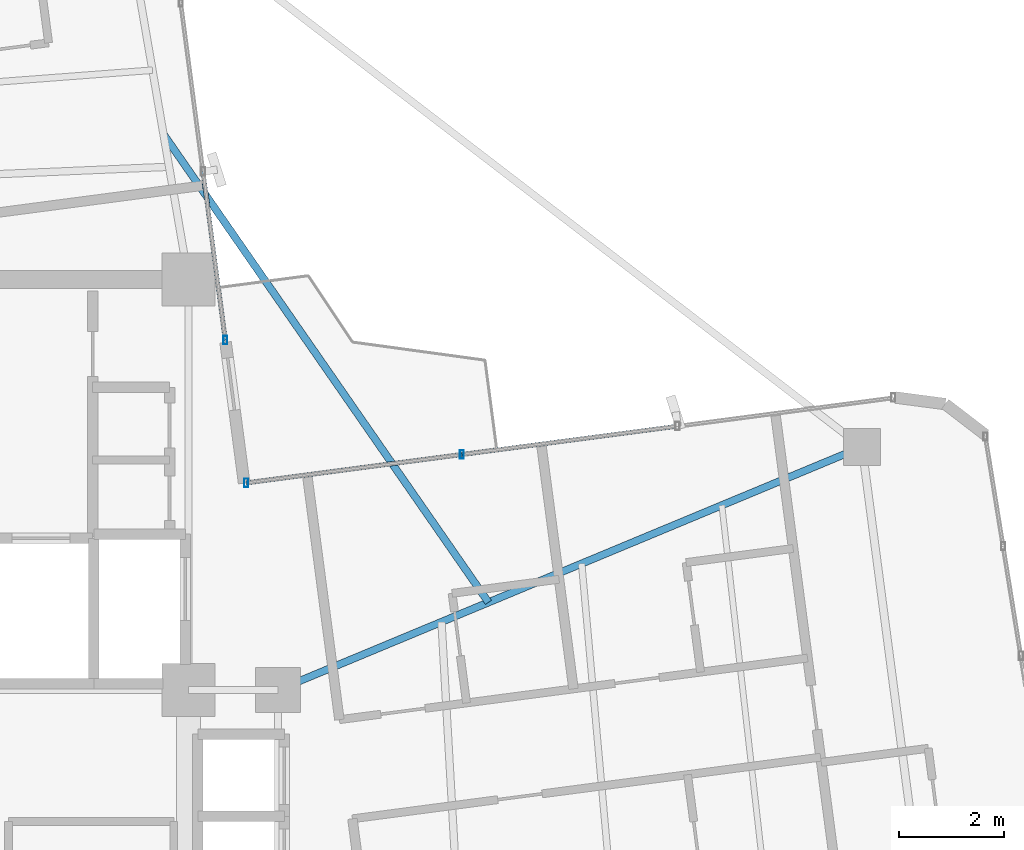
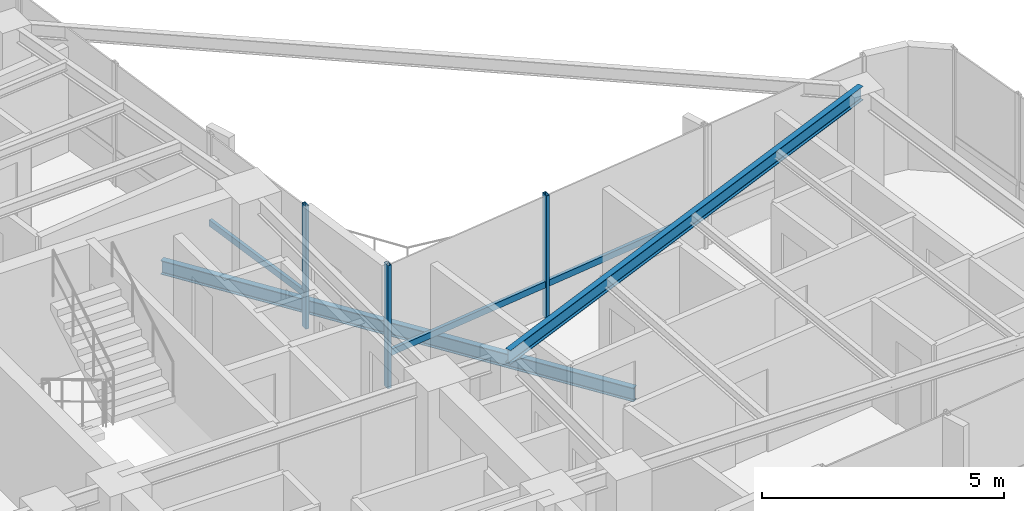
# One storey, part 10 of 22: 6 members, 2 beams, 2 elements without a shape of their own.
"""IFC4 building model written with IfcOpenShell, lengths in metres."""

from ifc_helpers import new_model, si_unit, direction, frame, origin, origin_2d, place, context, subcontext, project, spatial, hollow_rectangle, i_section, extrude, source, transform, mapped, material, material_profile, profile_set, type_object, element, aggregate, save


model = new_model("IFC4")

# Units and contexts
model_context = context("Model", 3, precision=1e-05, world=origin(), true_north=direction((0.0, 1.0)))
body_context = subcontext(model_context, "Body", "Model", "MODEL_VIEW")
ifc_project = project(units=[si_unit("LENGTHUNIT", "METRE"), si_unit("AREAUNIT", "SQUARE_METRE"), si_unit("VOLUMEUNIT", "CUBIC_METRE"), si_unit("PLANEANGLEUNIT", "RADIAN"), si_unit("MASSUNIT", "GRAM", prefix="KILO")], contexts=[model_context])

# Site, building, storey
site_placement = place(None, origin())
site = spatial("IfcSite", under=ifc_project, at=site_placement, CompositionType="ELEMENT")
building_placement = place(site_placement, origin())
building = spatial("IfcBuilding", under=site, at=building_placement, Name="Sahyath Konkavel Grand Hotel", CompositionType="ELEMENT")
storey_placement = place(building_placement, frame((0.0, 0.0, 223.25)))
storey = spatial("IfcBuildingStorey", under=building, at=storey_placement, Name="L62", CompositionType="ELEMENT", Elevation=223.25)

# Beam
ifc_material_1 = material(Name="Steel E350", Category="steel")
ifc_material_profile_1 = material_profile(ifc_material_1, i_section(OverallWidth=0.139892578125, OverallDepth=0.35009765625, WebThickness=0.008056640625, FlangeThickness=0.01416015625, FilletRadius=0.013916015625, at=origin_2d()), Name="ISMB 350")
ifc_profile_set_1 = profile_set([ifc_material_profile_1], Name="Steel E350")
beam_type_1 = type_object("IfcBeamType", Name="BM-ISMB350", PredefinedType="BEAM", material=ifc_profile_set_1)
shared_shape_1 = source(origin(), body_context, "Body", "SweptSolid", [
    extrude(i_section(OverallWidth=0.139892578125, OverallDepth=0.35009765625, WebThickness=0.008056640625, FlangeThickness=0.01416015625, FilletRadius=0.013916015625, at=origin_2d()), origin(), (0.0, 0.0, 1.0), 12.021484375),
])
beam_1_placement = place(storey_placement, frame((5.5, 2.39990234375, 2.93505859375), z_axis=(0.923250473767, 0.384198597979, 0.0), x_axis=(-0.384198597979, 0.923250473767, 0.0)))
element("IfcBeam", 1, at=beam_1_placement, inside=storey, type_object=beam_type_1, Name="L62 Cruciform Radial Girder EB", PredefinedType="BEAM", context=body_context, shape_type="MappedRepresentation", body=[
    mapped(shared_shape_1, transform((0.0, 0.0, 0.0), scale=1.0)),
])

# Curtain wall, members
ifc_material_2 = material(Name="Anodised Bronze Aluminium & Low-E Glazing", Category="aluminium")
curtain_wall_type = type_object("IfcCurtainWallType", Name="CW-ZONE4", PredefinedType="NOTDEFINED", material=ifc_material_2)
curtain_wall_1_placement = place(storey_placement, origin())
curtain_wall_1 = element("IfcCurtainWall", 2, at=curtain_wall_1_placement, inside=storey, type_object=curtain_wall_type, Name="L62 Unitised Curtain Wall F7", PredefinedType="NOTDEFINED")
ifc_material_3 = material(Name="Anodised Bronze Aluminium", Category="aluminium")
ifc_material_profile_2 = material_profile(ifc_material_3, hollow_rectangle(XDim=0.080078125, YDim=0.159912109375, WallThickness=0.006103515625, at=origin_2d()), Name="RHS 160x80x6")
ifc_profile_set_2 = profile_set([ifc_material_profile_2], Name="Anodised Bronze Aluminium")
member_type_1 = type_object("IfcMemberType", Name="CW-MUL-160", PredefinedType="MULLION", material=ifc_profile_set_2)
shared_shape_2 = source(origin(), body_context, "Body", "SweptSolid", [
    extrude(hollow_rectangle(XDim=0.080078125, YDim=0.159912109375, WallThickness=0.006103515625, at=origin_2d()), origin(), (0.0, 0.0, 1.0), 3.110107421875),
])
member_1_placement = place(storey_placement, frame((8.995361328125, 6.875, 0.0), z_axis=(0.0, 0.0, 1.0), x_axis=(1.0, 0.0, 0.0)))
member_1 = element("IfcMember", 3, at=member_1_placement, type_object=member_type_1, Name="L62 Curtain Wall Mullion F7-2", PredefinedType="MULLION", context=body_context, shape_type="MappedRepresentation", body=[
    mapped(shared_shape_2, transform((0.0, 0.0, 0.0), scale=1.0)),
])
member_2_placement = place(storey_placement, frame((4.89697265625, 6.33544921875, 0.0), z_axis=(0.0, 0.0, 1.0), x_axis=(1.0, 0.0, 0.0)))
member_2 = element("IfcMember", 4, at=member_2_placement, type_object=member_type_1, Name="L62 Curtain Wall Mullion F7-3", PredefinedType="MULLION", context=body_context, shape_type="MappedRepresentation", body=[
    mapped(shared_shape_2, transform((0.0, 0.0, 0.0), scale=1.0)),
])

curtain_wall_2_placement = place(storey_placement, origin())
curtain_wall_2 = element("IfcCurtainWall", 5, at=curtain_wall_2_placement, inside=storey, type_object=curtain_wall_type, Name="L62 Unitised Curtain Wall F8", PredefinedType="NOTDEFINED")
member_3_placement = place(storey_placement, frame((4.499755859375, 9.046875, 0.0), z_axis=(0.0, 0.0, 1.0), x_axis=(1.0, 0.0, 0.0)))
member_3 = element("IfcMember", 6, at=member_3_placement, type_object=member_type_1, Name="L62 Curtain Wall Mullion F8-0", PredefinedType="MULLION", context=body_context, shape_type="MappedRepresentation", body=[
    mapped(shared_shape_2, transform((0.0, 0.0, 0.0), scale=1.0)),
])
ifc_material_profile_3 = material_profile(ifc_material_3, hollow_rectangle(XDim=0.080078125, YDim=0.159912109375, WallThickness=0.006103515625, at=origin_2d()), Name="RHS 160x80x6")
ifc_profile_set_3 = profile_set([ifc_material_profile_3], Name="Anodised Bronze Aluminium")
member_type_2 = type_object("IfcMemberType", Name="CW-TRN-160", PredefinedType="USERDEFINED", material=ifc_profile_set_3)
shared_shape_3 = source(origin(), body_context, "Body", "SweptSolid", [
    extrude(hollow_rectangle(XDim=0.080078125, YDim=0.159912109375, WallThickness=0.006103515625, at=origin_2d()), origin(), (0.0, 0.0, 1.0), 3.2333984375),
])
member_4_placement = place(storey_placement, frame((4.499755859375, 9.046875, 0.85009765625), z_axis=(-0.130546309176, 0.991442212719, 0.0), x_axis=(-0.991442212719, -0.130546309176, 0.0)))
member_4 = element("IfcMember", 7, at=member_4_placement, type_object=member_type_2, Name="L62 Curtain Wall Transom F8-0-spandrel", ObjectType="TRANSOM", PredefinedType="USERDEFINED", context=body_context, shape_type="MappedRepresentation", body=[
    mapped(shared_shape_3, transform((0.0, 0.0, 0.0), scale=1.0)),
])
aggregate(curtain_wall_2, [member_3, member_4])

# Member
shared_shape_4 = source(origin(), body_context, "Body", "SweptSolid", [
    extrude(hollow_rectangle(XDim=0.080078125, YDim=0.159912109375, WallThickness=0.006103515625, at=origin_2d()), origin(), (0.0, 0.0, 1.0), 4.1337890625),
])
member_5_placement = place(storey_placement, frame((8.995361328125, 6.875, 0.85009765625), z_axis=(-0.991445247163, -0.130523261824, 0.0), x_axis=(0.130523261824, -0.991445247163, 0.0)))
member_5 = element("IfcMember", 8, at=member_5_placement, type_object=member_type_2, Name="L62 Curtain Wall Transom F7-2-spandrel", ObjectType="TRANSOM", PredefinedType="USERDEFINED", context=body_context, shape_type="MappedRepresentation", body=[
    mapped(shared_shape_4, transform((0.0, 0.0, 0.0), scale=1.0)),
])

shared_shape_5 = source(origin(), body_context, "Body", "SweptSolid", [
    extrude(hollow_rectangle(XDim=0.080078125, YDim=0.159912109375, WallThickness=0.006103515625, at=origin_2d()), origin(), (0.0, 0.0, 1.0), 4.133544921875),
])
member_6_placement = place(storey_placement, frame((13.093505859375, 7.41455078125, 0.85009765625), z_axis=(-0.991444240905, -0.130530905064, 0.0), x_axis=(0.130530905064, -0.991444240905, 0.0)))
member_6 = element("IfcMember", 9, at=member_6_placement, type_object=member_type_2, Name="L62 Curtain Wall Transom F7-1-spandrel", ObjectType="TRANSOM", PredefinedType="USERDEFINED", context=body_context, shape_type="MappedRepresentation", body=[
    mapped(shared_shape_5, transform((0.0, 0.0, 0.0), scale=1.0)),
])

aggregate(curtain_wall_1, [member_1, member_2, member_6, member_5])

# Beam
ifc_material_profile_4 = material_profile(ifc_material_1, i_section(OverallWidth=0.139892578125, OverallDepth=0.35009765625, WebThickness=0.008056640625, FlangeThickness=0.01416015625, FilletRadius=0.013916015625, at=origin_2d()), Name="ISMB 350")
ifc_profile_set_4 = profile_set([ifc_material_profile_4], Name="Steel E350")
beam_type_2 = type_object("IfcBeamType", Name="BM-BALC-CANT", PredefinedType="BEAM", material=ifc_profile_set_4)
shared_shape_6 = source(origin(), body_context, "Body", "SweptSolid", [
    extrude(i_section(OverallWidth=0.139892578125, OverallDepth=0.35009765625, WebThickness=0.008056640625, FlangeThickness=0.01416015625, FilletRadius=0.013916015625, at=origin_2d()), origin(), (0.0, 0.0, 1.0), 10.826904296875),
])
beam_2_placement = place(storey_placement, frame((9.50048828125, 4.064697265625, -0.4150390625), z_axis=(-0.5702085906, 0.821499947173, 0.0), x_axis=(-0.821499947173, -0.5702085906, 0.0)))
element("IfcBeam", 10, at=beam_2_placement, inside=storey, type_object=beam_type_2, Name="L62 Balcony Cantilever Support Beam NE", PredefinedType="BEAM", context=body_context, shape_type="MappedRepresentation", body=[
    mapped(shared_shape_6, transform((0.0, 0.0, 0.0), scale=1.0)),
])

save(model, "model.ifc")
